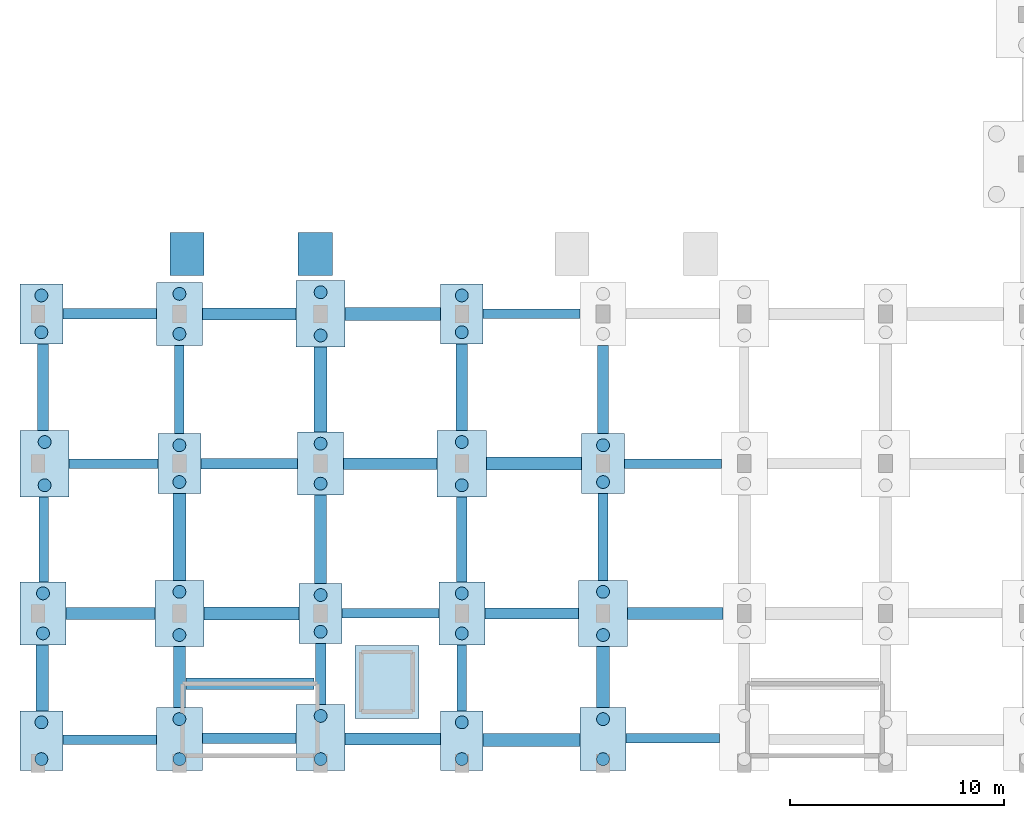
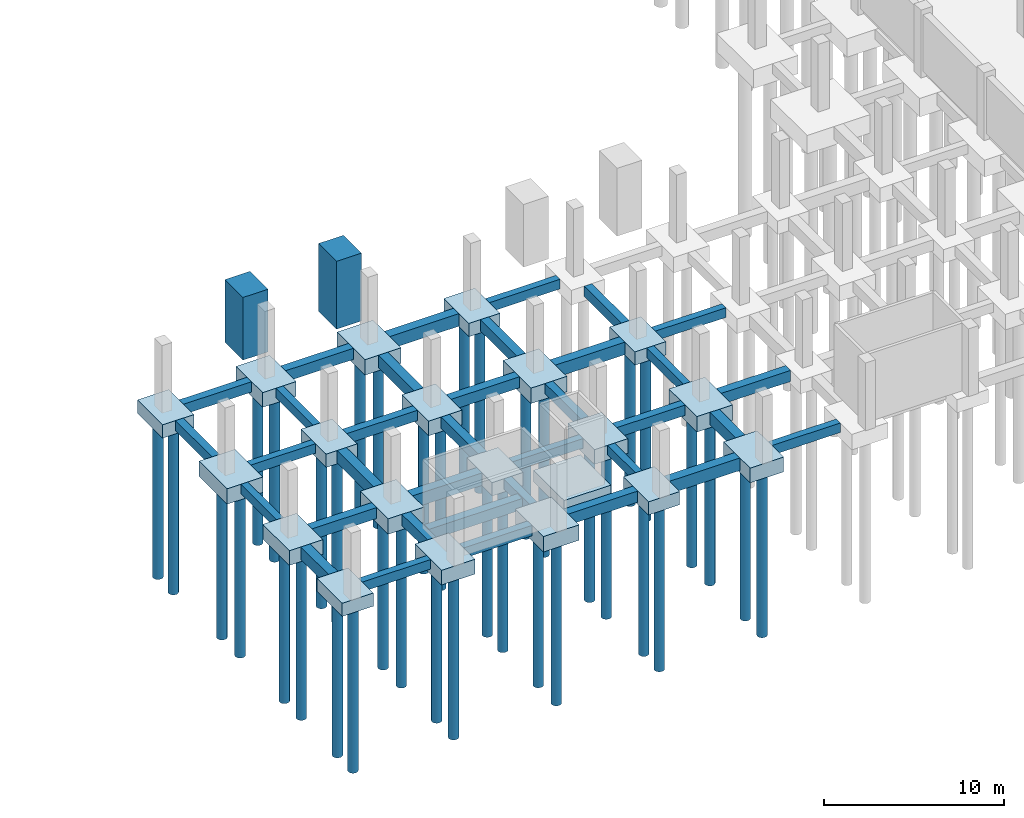
# One storey, part 1 of 27: 57 footings, 38 piles.
"""IFC4 building model written with IfcOpenShell, lengths in metres."""

from ifc_helpers import new_model, si_unit, direction, frame, origin, origin_2d, place, context, subcontext, project, spatial, rectangle, circle, extrude, material, material_profile, profile_set, type_object, element, save


model = new_model("IFC4")

# Units and contexts
model_context = context("Model", 3, precision=1e-05, world=origin(), true_north=direction((0.0, 1.0)))
body_context = subcontext(model_context, "Body", "Model", "MODEL_VIEW")
ifc_project = project(units=[si_unit("LENGTHUNIT", "METRE"), si_unit("AREAUNIT", "SQUARE_METRE"), si_unit("VOLUMEUNIT", "CUBIC_METRE"), si_unit("PLANEANGLEUNIT", "RADIAN"), si_unit("MASSUNIT", "GRAM", prefix="KILO")], contexts=[model_context])

# Site, building, storey
site_placement = place(None, origin())
site = spatial("IfcSite", under=ifc_project, at=site_placement, CompositionType="ELEMENT")
building_placement = place(site_placement, origin())
building = spatial("IfcBuilding", under=site, at=building_placement, Name="Ciguamira Faculty of Natural Sciences", CompositionType="ELEMENT")
storey_placement = place(building_placement, frame((0.0, 0.0, -4.199951171875)))
storey = spatial("IfcBuildingStorey", under=building, at=storey_placement, Name="B1", CompositionType="ELEMENT", Elevation=-4.199951171875)

# Piles
ifc_material = material(Name="Concrete C35/45", Category="concrete")
ifc_material_profile_1 = material_profile(ifc_material, circle(Radius=0.300048828125, at=origin_2d()), Name="PILE-BORED-600")
ifc_profile_set_1 = profile_set([ifc_material_profile_1], Name="Concrete C35/45")
pile_type = type_object("IfcPileType", Name="BoredPile_BP-01_600", PredefinedType="BORED", material=ifc_profile_set_1)
for number, where, z_axis, x_axis, name in (
    (1, (4.64990234375, 3.18994140625, -1.199951171875), (0.0, 0.0, -1.0), (1.0, 0.0, 0.0), "B1 bored pile 000-1"),
    (2, (4.64990234375, 4.909912109375, -1.199951171875), (0.0, 0.0, -1.0), (1.0, 0.0, 0.0), "B1 bored pile 000-2"),
):
    element("IfcPile", number, at=place(storey_placement, frame(where, z_axis=z_axis, x_axis=x_axis)), inside=storey, type_object=pile_type, Name=name, PredefinedType="BORED", context=body_context, shape_type="SweptSolid", body=[
        extrude(circle(Radius=0.300048828125, at=origin_2d()), origin(), (0.0, 0.0, 1.0), 11.199951171875),
    ])
for number, where, z_axis, x_axis, name in (
    (3, (4.72509765625, 9.06494140625, -1.300048828125), (0.0, 0.0, -1.0), (1.0, 0.0, 0.0), "B1 bored pile 001-1"),
    (4, (4.72509765625, 10.93505859375, -1.300048828125), (0.0, 0.0, -1.0), (1.0, 0.0, 0.0), "B1 bored pile 001-2"),
):
    element("IfcPile", number, at=place(storey_placement, frame(where, z_axis=z_axis, x_axis=x_axis)), inside=storey, type_object=pile_type, Name=name, PredefinedType="BORED", context=body_context, shape_type="SweptSolid", body=[
        extrude(circle(Radius=0.300048828125, at=origin_2d()), origin(), (0.0, 0.0, 1.0), 11.10009765625),
    ])
for number, where, z_axis, x_axis, name in (
    (5, (4.800048828125, 15.989990234375, -1.35009765625), (0.0, 0.0, -1.0), (1.0, 0.0, 0.0), "B1 bored pile 002-1"),
    (6, (4.800048828125, 18.010009765625, -1.35009765625), (0.0, 0.0, -1.0), (1.0, 0.0, 0.0), "B1 bored pile 002-2"),
):
    element("IfcPile", number, at=place(storey_placement, frame(where, z_axis=z_axis, x_axis=x_axis)), inside=storey, type_object=pile_type, Name=name, PredefinedType="BORED", context=body_context, shape_type="SweptSolid", body=[
        extrude(circle(Radius=0.300048828125, at=origin_2d()), origin(), (0.0, 0.0, 1.0), 11.050048828125),
    ])
for number, where, z_axis, x_axis, name in (
    (7, (4.64990234375, 23.139892578125, -1.199951171875), (0.0, 0.0, -1.0), (1.0, 0.0, 0.0), "B1 bored pile 003-1"),
    (8, (4.64990234375, 24.860107421875, -1.199951171875), (0.0, 0.0, -1.0), (1.0, 0.0, 0.0), "B1 bored pile 003-2"),
):
    element("IfcPile", number, at=place(storey_placement, frame(where, z_axis=z_axis, x_axis=x_axis)), inside=storey, type_object=pile_type, Name=name, PredefinedType="BORED", context=body_context, shape_type="SweptSolid", body=[
        extrude(circle(Radius=0.300048828125, at=origin_2d()), origin(), (0.0, 0.0, 1.0), 11.199951171875),
    ])
for number, where, z_axis, x_axis, name in (
    (9, (11.10009765625, 3.18994140625, -1.300048828125), (0.0, 0.0, -1.0), (1.0, 0.0, 0.0), "B1 bored pile 004-1"),
    (10, (11.10009765625, 5.06005859375, -1.300048828125), (0.0, 0.0, -1.0), (1.0, 0.0, 0.0), "B1 bored pile 004-2"),
):
    element("IfcPile", number, at=place(storey_placement, frame(where, z_axis=z_axis, x_axis=x_axis)), inside=storey, type_object=pile_type, Name=name, PredefinedType="BORED", context=body_context, shape_type="SweptSolid", body=[
        extrude(circle(Radius=0.300048828125, at=origin_2d()), origin(), (0.0, 0.0, 1.0), 11.10009765625),
    ])
for number, where, z_axis, x_axis, name in (
    (11, (11.10009765625, 8.989990234375, -1.35009765625), (0.0, 0.0, -1.0), (1.0, 0.0, 0.0), "B1 bored pile 005-1"),
    (12, (11.10009765625, 11.010009765625, -1.35009765625), (0.0, 0.0, -1.0), (1.0, 0.0, 0.0), "B1 bored pile 005-2"),
):
    element("IfcPile", number, at=place(storey_placement, frame(where, z_axis=z_axis, x_axis=x_axis)), inside=storey, type_object=pile_type, Name=name, PredefinedType="BORED", context=body_context, shape_type="SweptSolid", body=[
        extrude(circle(Radius=0.300048828125, at=origin_2d()), origin(), (0.0, 0.0, 1.0), 11.050048828125),
    ])
for number, where, z_axis, x_axis, name in (
    (13, (11.10009765625, 16.139892578125, -1.199951171875), (0.0, 0.0, -1.0), (1.0, 0.0, 0.0), "B1 bored pile 006-1"),
    (14, (11.10009765625, 17.860107421875, -1.199951171875), (0.0, 0.0, -1.0), (1.0, 0.0, 0.0), "B1 bored pile 006-2"),
):
    element("IfcPile", number, at=place(storey_placement, frame(where, z_axis=z_axis, x_axis=x_axis)), inside=storey, type_object=pile_type, Name=name, PredefinedType="BORED", context=body_context, shape_type="SweptSolid", body=[
        extrude(circle(Radius=0.300048828125, at=origin_2d()), origin(), (0.0, 0.0, 1.0), 11.199951171875),
    ])
for number, where, z_axis, x_axis, name in (
    (15, (11.10009765625, 23.06494140625, -1.300048828125), (0.0, 0.0, -1.0), (1.0, 0.0, 0.0), "B1 bored pile 007-1"),
    (16, (11.10009765625, 24.93505859375, -1.300048828125), (0.0, 0.0, -1.0), (1.0, 0.0, 0.0), "B1 bored pile 007-2"),
):
    element("IfcPile", number, at=place(storey_placement, frame(where, z_axis=z_axis, x_axis=x_axis)), inside=storey, type_object=pile_type, Name=name, PredefinedType="BORED", context=body_context, shape_type="SweptSolid", body=[
        extrude(circle(Radius=0.300048828125, at=origin_2d()), origin(), (0.0, 0.0, 1.0), 11.10009765625),
    ])
for number, where, z_axis, x_axis, name in (
    (17, (17.699951171875, 3.18994140625, -1.35009765625), (0.0, 0.0, -1.0), (1.0, 0.0, 0.0), "B1 bored pile 008-1"),
    (18, (17.699951171875, 5.2099609375, -1.35009765625), (0.0, 0.0, -1.0), (1.0, 0.0, 0.0), "B1 bored pile 008-2"),
):
    element("IfcPile", number, at=place(storey_placement, frame(where, z_axis=z_axis, x_axis=x_axis)), inside=storey, type_object=pile_type, Name=name, PredefinedType="BORED", context=body_context, shape_type="SweptSolid", body=[
        extrude(circle(Radius=0.300048828125, at=origin_2d()), origin(), (0.0, 0.0, 1.0), 11.050048828125),
    ])
for number, where, z_axis, x_axis, name in (
    (19, (17.699951171875, 9.139892578125, -1.199951171875), (0.0, 0.0, -1.0), (1.0, 0.0, 0.0), "B1 bored pile 009-1"),
    (20, (17.699951171875, 10.860107421875, -1.199951171875), (0.0, 0.0, -1.0), (1.0, 0.0, 0.0), "B1 bored pile 009-2"),
):
    element("IfcPile", number, at=place(storey_placement, frame(where, z_axis=z_axis, x_axis=x_axis)), inside=storey, type_object=pile_type, Name=name, PredefinedType="BORED", context=body_context, shape_type="SweptSolid", body=[
        extrude(circle(Radius=0.300048828125, at=origin_2d()), origin(), (0.0, 0.0, 1.0), 11.199951171875),
    ])
for number, where, z_axis, x_axis, name in (
    (21, (17.699951171875, 16.06494140625, -1.300048828125), (0.0, 0.0, -1.0), (1.0, 0.0, 0.0), "B1 bored pile 010-1"),
    (22, (17.699951171875, 17.93505859375, -1.300048828125), (0.0, 0.0, -1.0), (1.0, 0.0, 0.0), "B1 bored pile 010-2"),
):
    element("IfcPile", number, at=place(storey_placement, frame(where, z_axis=z_axis, x_axis=x_axis)), inside=storey, type_object=pile_type, Name=name, PredefinedType="BORED", context=body_context, shape_type="SweptSolid", body=[
        extrude(circle(Radius=0.300048828125, at=origin_2d()), origin(), (0.0, 0.0, 1.0), 11.10009765625),
    ])
for number, where, z_axis, x_axis, name in (
    (23, (17.699951171875, 22.989990234375, -1.35009765625), (0.0, 0.0, -1.0), (1.0, 0.0, 0.0), "B1 bored pile 011-1"),
    (24, (17.699951171875, 25.010009765625, -1.35009765625), (0.0, 0.0, -1.0), (1.0, 0.0, 0.0), "B1 bored pile 011-2"),
):
    element("IfcPile", number, at=place(storey_placement, frame(where, z_axis=z_axis, x_axis=x_axis)), inside=storey, type_object=pile_type, Name=name, PredefinedType="BORED", context=body_context, shape_type="SweptSolid", body=[
        extrude(circle(Radius=0.300048828125, at=origin_2d()), origin(), (0.0, 0.0, 1.0), 11.050048828125),
    ])
for number, where, z_axis, x_axis, name in (
    (25, (24.300048828125, 3.18994140625, -1.199951171875), (0.0, 0.0, -1.0), (1.0, 0.0, 0.0), "B1 bored pile 012-1"),
    (26, (24.300048828125, 4.909912109375, -1.199951171875), (0.0, 0.0, -1.0), (1.0, 0.0, 0.0), "B1 bored pile 012-2"),
):
    element("IfcPile", number, at=place(storey_placement, frame(where, z_axis=z_axis, x_axis=x_axis)), inside=storey, type_object=pile_type, Name=name, PredefinedType="BORED", context=body_context, shape_type="SweptSolid", body=[
        extrude(circle(Radius=0.300048828125, at=origin_2d()), origin(), (0.0, 0.0, 1.0), 11.199951171875),
    ])
for number, where, z_axis, x_axis, name in (
    (27, (24.300048828125, 9.06494140625, -1.300048828125), (0.0, 0.0, -1.0), (1.0, 0.0, 0.0), "B1 bored pile 013-1"),
    (28, (24.300048828125, 10.93505859375, -1.300048828125), (0.0, 0.0, -1.0), (1.0, 0.0, 0.0), "B1 bored pile 013-2"),
):
    element("IfcPile", number, at=place(storey_placement, frame(where, z_axis=z_axis, x_axis=x_axis)), inside=storey, type_object=pile_type, Name=name, PredefinedType="BORED", context=body_context, shape_type="SweptSolid", body=[
        extrude(circle(Radius=0.300048828125, at=origin_2d()), origin(), (0.0, 0.0, 1.0), 11.10009765625),
    ])
for number, where, z_axis, x_axis, name in (
    (29, (24.300048828125, 15.989990234375, -1.35009765625), (0.0, 0.0, -1.0), (1.0, 0.0, 0.0), "B1 bored pile 014-1"),
    (30, (24.300048828125, 18.010009765625, -1.35009765625), (0.0, 0.0, -1.0), (1.0, 0.0, 0.0), "B1 bored pile 014-2"),
):
    element("IfcPile", number, at=place(storey_placement, frame(where, z_axis=z_axis, x_axis=x_axis)), inside=storey, type_object=pile_type, Name=name, PredefinedType="BORED", context=body_context, shape_type="SweptSolid", body=[
        extrude(circle(Radius=0.300048828125, at=origin_2d()), origin(), (0.0, 0.0, 1.0), 11.050048828125),
    ])
for number, where, z_axis, x_axis, name in (
    (31, (24.300048828125, 23.139892578125, -1.199951171875), (0.0, 0.0, -1.0), (1.0, 0.0, 0.0), "B1 bored pile 015-1"),
    (32, (24.300048828125, 24.860107421875, -1.199951171875), (0.0, 0.0, -1.0), (1.0, 0.0, 0.0), "B1 bored pile 015-2"),
):
    element("IfcPile", number, at=place(storey_placement, frame(where, z_axis=z_axis, x_axis=x_axis)), inside=storey, type_object=pile_type, Name=name, PredefinedType="BORED", context=body_context, shape_type="SweptSolid", body=[
        extrude(circle(Radius=0.300048828125, at=origin_2d()), origin(), (0.0, 0.0, 1.0), 11.199951171875),
    ])
for number, where, z_axis, x_axis, name in (
    (33, (30.89990234375, 3.18994140625, -1.300048828125), (0.0, 0.0, -1.0), (1.0, 0.0, 0.0), "B1 bored pile 016-1"),
    (34, (30.89990234375, 5.06005859375, -1.300048828125), (0.0, 0.0, -1.0), (1.0, 0.0, 0.0), "B1 bored pile 016-2"),
):
    element("IfcPile", number, at=place(storey_placement, frame(where, z_axis=z_axis, x_axis=x_axis)), inside=storey, type_object=pile_type, Name=name, PredefinedType="BORED", context=body_context, shape_type="SweptSolid", body=[
        extrude(circle(Radius=0.300048828125, at=origin_2d()), origin(), (0.0, 0.0, 1.0), 11.10009765625),
    ])
for number, where, z_axis, x_axis, name in (
    (35, (30.89990234375, 8.989990234375, -1.35009765625), (0.0, 0.0, -1.0), (1.0, 0.0, 0.0), "B1 bored pile 017-1"),
    (36, (30.89990234375, 11.010009765625, -1.35009765625), (0.0, 0.0, -1.0), (1.0, 0.0, 0.0), "B1 bored pile 017-2"),
):
    element("IfcPile", number, at=place(storey_placement, frame(where, z_axis=z_axis, x_axis=x_axis)), inside=storey, type_object=pile_type, Name=name, PredefinedType="BORED", context=body_context, shape_type="SweptSolid", body=[
        extrude(circle(Radius=0.300048828125, at=origin_2d()), origin(), (0.0, 0.0, 1.0), 11.050048828125),
    ])
for number, where, z_axis, x_axis, name in (
    (37, (30.89990234375, 16.139892578125, -1.199951171875), (0.0, 0.0, -1.0), (1.0, 0.0, 0.0), "B1 bored pile 018-1"),
    (38, (30.89990234375, 17.860107421875, -1.199951171875), (0.0, 0.0, -1.0), (1.0, 0.0, 0.0), "B1 bored pile 018-2"),
):
    element("IfcPile", number, at=place(storey_placement, frame(where, z_axis=z_axis, x_axis=x_axis)), inside=storey, type_object=pile_type, Name=name, PredefinedType="BORED", context=body_context, shape_type="SweptSolid", body=[
        extrude(circle(Radius=0.300048828125, at=origin_2d()), origin(), (0.0, 0.0, 1.0), 11.199951171875),
    ])

# Footings
ifc_material_profile_2 = material_profile(ifc_material, rectangle(XDim=0.449951171875, YDim=0.64990234375, at=origin_2d()), Name="RC-FB-450X650")
ifc_profile_set_2 = profile_set([ifc_material_profile_2], Name="Concrete C35/45")
footing_type_1 = type_object("IfcFootingType", Name="FootingBeam_FB-01_450x650", PredefinedType="FOOTING_BEAM", material=ifc_profile_set_2)
for number, where, z_axis, x_axis, name in (
    (39, (5.64990234375, 4.08740234375, -0.72509765625), (1.0, 0.0, 0.0), (0.0, 1.0, 0.0), "B1 ground tie beam 0001"),
    (40, (31.97509765625, 4.16259765625, -0.72509765625), (1.0, 0.0, 0.0), (0.0, 1.0, 0.0), "B1 ground tie beam 0005"),
):
    element("IfcFooting", number, at=place(storey_placement, frame(where, z_axis=z_axis, x_axis=x_axis)), inside=storey, type_object=footing_type_1, Name=name, PredefinedType="FOOTING_BEAM", context=body_context, shape_type="SweptSolid", body=[
        extrude(rectangle(XDim=0.449951171875, YDim=0.64990234375, at=origin_2d()), origin(), (0.0, 0.0, 1.0), 4.375),
    ])
footing_1_placement = place(storey_placement, frame((18.699951171875, 10.0, -0.72509765625), z_axis=(1.0, 0.0, 0.0), x_axis=(0.0, 1.0, 0.0)))
element("IfcFooting", 41, at=footing_1_placement, inside=storey, type_object=footing_type_1, Name="B1 ground tie beam 0017", PredefinedType="FOOTING_BEAM", context=body_context, shape_type="SweptSolid", body=[
    extrude(rectangle(XDim=0.449951171875, YDim=0.64990234375, at=origin_2d()), origin(), (0.0, 0.0, 1.0), 4.525146484375),
])
footing_2_placement = place(storey_placement, frame((5.949951171875, 17.0, -0.72509765625), z_axis=(1.0, 0.0, 0.0), x_axis=(0.0, 1.0, 0.0)))
element("IfcFooting", 42, at=footing_2_placement, inside=storey, type_object=footing_type_1, Name="B1 ground tie beam 0033", PredefinedType="FOOTING_BEAM", context=body_context, shape_type="SweptSolid", body=[
    extrude(rectangle(XDim=0.449951171875, YDim=0.64990234375, at=origin_2d()), origin(), (0.0, 0.0, 1.0), 4.150146484375),
])
footing_3_placement = place(storey_placement, frame((31.89990234375, 17.0, -0.72509765625), z_axis=(1.0, 0.0, 0.0), x_axis=(0.0, 1.0, 0.0)))
element("IfcFooting", 43, at=footing_3_placement, inside=storey, type_object=footing_type_1, Name="B1 ground tie beam 0037", PredefinedType="FOOTING_BEAM", context=body_context, shape_type="SweptSolid", body=[
    extrude(rectangle(XDim=0.449951171875, YDim=0.64990234375, at=origin_2d()), origin(), (0.0, 0.0, 1.0), 4.525146484375),
])
footing_4_placement = place(storey_placement, frame((25.300048828125, 24.0, -0.72509765625), z_axis=(1.0, 0.0, 0.0), x_axis=(0.0, 1.0, 0.0)))
element("IfcFooting", 44, at=footing_4_placement, inside=storey, type_object=footing_type_1, Name="B1 ground tie beam 0061", PredefinedType="FOOTING_BEAM", context=body_context, shape_type="SweptSolid", body=[
    extrude(rectangle(XDim=0.449951171875, YDim=0.64990234375, at=origin_2d()), origin(), (0.0, 0.0, 1.0), 4.52490234375),
])
footing_5_placement = place(storey_placement, frame((4.762451171875, 11.47509765625, -0.72509765625), z_axis=(0.0, 1.0, 0.0), x_axis=(-1.0, 0.0, 0.0)))
element("IfcFooting", 45, at=footing_5_placement, inside=storey, type_object=footing_type_1, Name="B1 ground tie beam 0193", PredefinedType="FOOTING_BEAM", context=body_context, shape_type="SweptSolid", body=[
    extrude(rectangle(XDim=0.449951171875, YDim=0.64990234375, at=origin_2d()), origin(), (0.0, 0.0, 1.0), 3.974853515625),
])
footing_6_placement = place(storey_placement, frame((11.10009765625, 18.39990234375, -0.72509765625), z_axis=(0.0, 1.0, 0.0), x_axis=(-1.0, 0.0, 0.0)))
element("IfcFooting", 46, at=footing_6_placement, inside=storey, type_object=footing_type_1, Name="B1 ground tie beam 0197", PredefinedType="FOOTING_BEAM", context=body_context, shape_type="SweptSolid", body=[
    extrude(rectangle(XDim=0.449951171875, YDim=0.64990234375, at=origin_2d()), origin(), (0.0, 0.0, 1.0), 4.125),
])
footing_7_placement = place(storey_placement, frame((24.300048828125, 5.449951171875, -0.72509765625), z_axis=(0.0, 1.0, 0.0), x_axis=(-1.0, 0.0, 0.0)))
element("IfcFooting", 47, at=footing_7_placement, inside=storey, type_object=footing_type_1, Name="B1 ground tie beam 0201", PredefinedType="FOOTING_BEAM", context=body_context, shape_type="SweptSolid", body=[
    extrude(rectangle(XDim=0.449951171875, YDim=0.64990234375, at=origin_2d()), origin(), (0.0, 0.0, 1.0), 3.074951171875),
])
footing_8_placement = place(storey_placement, frame((30.89990234375, 11.550048828125, -0.72509765625), z_axis=(0.0, 1.0, 0.0), x_axis=(-1.0, 0.0, 0.0)))
element("IfcFooting", 48, at=footing_8_placement, inside=storey, type_object=footing_type_1, Name="B1 ground tie beam 0205", PredefinedType="FOOTING_BEAM", context=body_context, shape_type="SweptSolid", body=[
    extrude(rectangle(XDim=0.449951171875, YDim=0.64990234375, at=origin_2d()), origin(), (0.0, 0.0, 1.0), 4.050048828125),
])
ifc_material_profile_3 = material_profile(ifc_material, rectangle(XDim=0.5, YDim=0.699951171875, at=origin_2d()), Name="RC-FB-500X700")
ifc_profile_set_3 = profile_set([ifc_material_profile_3], Name="Concrete C35/45")
footing_type_2 = type_object("IfcFootingType", Name="FootingBeam_FB-02_500x700", PredefinedType="FOOTING_BEAM", material=ifc_profile_set_3)
for number, where, z_axis, x_axis, name in (
    (49, (12.175048828125, 4.16259765625, -0.75), (1.0, 0.0, 0.0), (0.0, 1.0, 0.0), "B1 ground tie beam 0002"),
    (50, (25.375, 10.0, -0.75), (1.0, 0.0, 0.0), (0.0, 1.0, 0.0), "B1 ground tie beam 0018"),
):
    element("IfcFooting", number, at=place(storey_placement, frame(where, z_axis=z_axis, x_axis=x_axis)), inside=storey, type_object=footing_type_2, Name=name, PredefinedType="FOOTING_BEAM", context=body_context, shape_type="SweptSolid", body=[
        extrude(rectangle(XDim=0.5, YDim=0.699951171875, at=origin_2d()), origin(), (0.0, 0.0, 1.0), 4.375),
    ])
footing_9_placement = place(storey_placement, frame((12.10009765625, 17.0, -0.75), z_axis=(1.0, 0.0, 0.0), x_axis=(0.0, 1.0, 0.0)))
element("IfcFooting", 51, at=footing_9_placement, inside=storey, type_object=footing_type_2, Name="B1 ground tie beam 0034", PredefinedType="FOOTING_BEAM", context=body_context, shape_type="SweptSolid", body=[
    extrude(rectangle(XDim=0.5, YDim=0.699951171875, at=origin_2d()), origin(), (0.0, 0.0, 1.0), 4.52490234375),
])
footing_10_placement = place(storey_placement, frame((5.64990234375, 24.0, -0.75), z_axis=(1.0, 0.0, 0.0), x_axis=(0.0, 1.0, 0.0)))
element("IfcFooting", 52, at=footing_10_placement, inside=storey, type_object=footing_type_2, Name="B1 ground tie beam 0058", PredefinedType="FOOTING_BEAM", context=body_context, shape_type="SweptSolid", body=[
    extrude(rectangle(XDim=0.5, YDim=0.699951171875, at=origin_2d()), origin(), (0.0, 0.0, 1.0), 4.375),
])
footing_11_placement = place(storey_placement, frame((4.72509765625, 18.550048828125, -0.75), z_axis=(0.0, 1.0, 0.0), x_axis=(-1.0, 0.0, 0.0)))
element("IfcFooting", 53, at=footing_11_placement, inside=storey, type_object=footing_type_2, Name="B1 ground tie beam 0194", PredefinedType="FOOTING_BEAM", context=body_context, shape_type="SweptSolid", body=[
    extrude(rectangle(XDim=0.5, YDim=0.699951171875, at=origin_2d()), origin(), (0.0, 0.0, 1.0), 4.050048828125),
])
footing_12_placement = place(storey_placement, frame((17.699951171875, 5.75, -0.75), z_axis=(0.0, 1.0, 0.0), x_axis=(-1.0, 0.0, 0.0)))
element("IfcFooting", 54, at=footing_12_placement, inside=storey, type_object=footing_type_2, Name="B1 ground tie beam 0198", PredefinedType="FOOTING_BEAM", context=body_context, shape_type="SweptSolid", body=[
    extrude(rectangle(XDim=0.5, YDim=0.699951171875, at=origin_2d()), origin(), (0.0, 0.0, 1.0), 2.85009765625),
])
footing_13_placement = place(storey_placement, frame((24.300048828125, 11.47509765625, -0.75), z_axis=(0.0, 1.0, 0.0), x_axis=(-1.0, 0.0, 0.0)))
element("IfcFooting", 55, at=footing_13_placement, inside=storey, type_object=footing_type_2, Name="B1 ground tie beam 0202", PredefinedType="FOOTING_BEAM", context=body_context, shape_type="SweptSolid", body=[
    extrude(rectangle(XDim=0.5, YDim=0.699951171875, at=origin_2d()), origin(), (0.0, 0.0, 1.0), 3.974853515625),
])
footing_14_placement = place(storey_placement, frame((30.89990234375, 18.39990234375, -0.75), z_axis=(0.0, 1.0, 0.0), x_axis=(-1.0, 0.0, 0.0)))
element("IfcFooting", 56, at=footing_14_placement, inside=storey, type_object=footing_type_2, Name="B1 ground tie beam 0206", PredefinedType="FOOTING_BEAM", context=body_context, shape_type="SweptSolid", body=[
    extrude(rectangle(XDim=0.5, YDim=0.699951171875, at=origin_2d()), origin(), (0.0, 0.0, 1.0), 4.125),
])
ifc_material_profile_4 = material_profile(ifc_material, rectangle(XDim=0.550048828125, YDim=0.75, at=origin_2d()), Name="RC-FB-550X750")
ifc_profile_set_4 = profile_set([ifc_material_profile_4], Name="Concrete C35/45")
footing_type_3 = type_object("IfcFootingType", Name="FootingBeam_FB-03_550x750", PredefinedType="FOOTING_BEAM", material=ifc_profile_set_4)
footing_15_placement = place(storey_placement, frame((18.85009765625, 4.125, -0.775146484375), z_axis=(1.0, 0.0, 0.0), x_axis=(0.0, 1.0, 0.0)))
element("IfcFooting", 57, at=footing_15_placement, inside=storey, type_object=footing_type_3, Name="B1 ground tie beam 0003", PredefinedType="FOOTING_BEAM", context=body_context, shape_type="SweptSolid", body=[
    extrude(rectangle(XDim=0.550048828125, YDim=0.75, at=origin_2d()), origin(), (0.0, 0.0, 1.0), 4.449951171875),
])
footing_16_placement = place(storey_placement, frame((5.800048828125, 10.0, -0.775146484375), z_axis=(1.0, 0.0, 0.0), x_axis=(0.0, 1.0, 0.0)))
element("IfcFooting", 58, at=footing_16_placement, inside=storey, type_object=footing_type_3, Name="B1 ground tie beam 0015", PredefinedType="FOOTING_BEAM", context=body_context, shape_type="SweptSolid", body=[
    extrude(rectangle(XDim=0.550048828125, YDim=0.75, at=origin_2d()), origin(), (0.0, 0.0, 1.0), 4.14990234375),
])
footing_17_placement = place(storey_placement, frame((32.050048828125, 10.0, -0.775146484375), z_axis=(1.0, 0.0, 0.0), x_axis=(0.0, 1.0, 0.0)))
element("IfcFooting", 59, at=footing_17_placement, inside=storey, type_object=footing_type_3, Name="B1 ground tie beam 0019", PredefinedType="FOOTING_BEAM", context=body_context, shape_type="SweptSolid", body=[
    extrude(rectangle(XDim=0.550048828125, YDim=0.75, at=origin_2d()), origin(), (0.0, 0.0, 1.0), 4.449951171875),
])
for number, where, z_axis, x_axis, name in (
    (60, (18.77490234375, 17.0, -0.775146484375), (1.0, 0.0, 0.0), (0.0, 1.0, 0.0), "B1 ground tie beam 0035"),
    (61, (12.175048828125, 24.0, -0.775146484375), (1.0, 0.0, 0.0), (0.0, 1.0, 0.0), "B1 ground tie beam 0059"),
):
    element("IfcFooting", number, at=place(storey_placement, frame(where, z_axis=z_axis, x_axis=x_axis)), inside=storey, type_object=footing_type_3, Name=name, PredefinedType="FOOTING_BEAM", context=body_context, shape_type="SweptSolid", body=[
        extrude(rectangle(XDim=0.550048828125, YDim=0.75, at=origin_2d()), origin(), (0.0, 0.0, 1.0), 4.375),
    ])
footing_18_placement = place(storey_placement, frame((11.10009765625, 5.60009765625, -0.775146484375), z_axis=(0.0, 1.0, 0.0), x_axis=(-1.0, 0.0, 0.0)))
element("IfcFooting", 62, at=footing_18_placement, inside=storey, type_object=footing_type_3, Name="B1 ground tie beam 0195", PredefinedType="FOOTING_BEAM", context=body_context, shape_type="SweptSolid", body=[
    extrude(rectangle(XDim=0.550048828125, YDim=0.75, at=origin_2d()), origin(), (0.0, 0.0, 1.0), 2.849853515625),
])
footing_19_placement = place(storey_placement, frame((17.699951171875, 11.39990234375, -0.775146484375), z_axis=(0.0, 1.0, 0.0), x_axis=(-1.0, 0.0, 0.0)))
element("IfcFooting", 63, at=footing_19_placement, inside=storey, type_object=footing_type_3, Name="B1 ground tie beam 0199", PredefinedType="FOOTING_BEAM", context=body_context, shape_type="SweptSolid", body=[
    extrude(rectangle(XDim=0.550048828125, YDim=0.75, at=origin_2d()), origin(), (0.0, 0.0, 1.0), 4.125),
])
footing_20_placement = place(storey_placement, frame((24.300048828125, 18.550048828125, -0.775146484375), z_axis=(0.0, 1.0, 0.0), x_axis=(-1.0, 0.0, 0.0)))
element("IfcFooting", 64, at=footing_20_placement, inside=storey, type_object=footing_type_3, Name="B1 ground tie beam 0203", PredefinedType="FOOTING_BEAM", context=body_context, shape_type="SweptSolid", body=[
    extrude(rectangle(XDim=0.550048828125, YDim=0.75, at=origin_2d()), origin(), (0.0, 0.0, 1.0), 4.050048828125),
])
footing_21_placement = place(storey_placement, frame((11.409912109375, 6.7099609375, -0.775146484375), z_axis=(1.0, 0.0, 0.0), x_axis=(0.0, 1.0, 0.0)))
element("IfcFooting", 65, at=footing_21_placement, inside=storey, type_object=footing_type_3, Name="B1 ST-C1 core transverse footing beam north", PredefinedType="FOOTING_BEAM", context=body_context, shape_type="SweptSolid", body=[
    extrude(rectangle(XDim=0.550048828125, YDim=0.75, at=origin_2d()), origin(), (0.0, 0.0, 1.0), 5.97998046875),
])
ifc_material_profile_5 = material_profile(ifc_material, rectangle(XDim=0.60009765625, YDim=0.85009765625, at=origin_2d()), Name="RC-FB-600X850")
ifc_profile_set_5 = profile_set([ifc_material_profile_5], Name="Concrete C35/45")
footing_type_4 = type_object("IfcFootingType", Name="FootingBeam_FB-04_600x850", PredefinedType="FOOTING_BEAM", material=ifc_profile_set_5)
footing_22_placement = place(storey_placement, frame((25.300048828125, 4.08740234375, -0.824951171875), z_axis=(1.0, 0.0, 0.0), x_axis=(0.0, 1.0, 0.0)))
element("IfcFooting", 66, at=footing_22_placement, inside=storey, type_object=footing_type_4, Name="B1 ground tie beam 0004", PredefinedType="FOOTING_BEAM", context=body_context, shape_type="SweptSolid", body=[
    extrude(rectangle(XDim=0.60009765625, YDim=0.85009765625, at=origin_2d()), origin(), (0.0, 0.0, 1.0), 4.52490234375),
])
for number, where, z_axis, x_axis, name in (
    (67, (12.25, 10.0, -0.824951171875), (1.0, 0.0, 0.0), (0.0, 1.0, 0.0), "B1 ground tie beam 0016"),
    (68, (25.449951171875, 17.0, -0.824951171875), (1.0, 0.0, 0.0), (0.0, 1.0, 0.0), "B1 ground tie beam 0036"),
    (69, (18.85009765625, 24.0, -0.824951171875), (1.0, 0.0, 0.0), (0.0, 1.0, 0.0), "B1 ground tie beam 0060"),
):
    element("IfcFooting", number, at=place(storey_placement, frame(where, z_axis=z_axis, x_axis=x_axis)), inside=storey, type_object=footing_type_4, Name=name, PredefinedType="FOOTING_BEAM", context=body_context, shape_type="SweptSolid", body=[
        extrude(rectangle(XDim=0.60009765625, YDim=0.85009765625, at=origin_2d()), origin(), (0.0, 0.0, 1.0), 4.449951171875),
    ])
footing_23_placement = place(storey_placement, frame((4.6875, 5.449951171875, -0.824951171875), z_axis=(0.0, 1.0, 0.0), x_axis=(-1.0, 0.0, 0.0)))
element("IfcFooting", 70, at=footing_23_placement, inside=storey, type_object=footing_type_4, Name="B1 ground tie beam 0192", PredefinedType="FOOTING_BEAM", context=body_context, shape_type="SweptSolid", body=[
    extrude(rectangle(XDim=0.60009765625, YDim=0.85009765625, at=origin_2d()), origin(), (0.0, 0.0, 1.0), 3.074951171875),
])
footing_24_placement = place(storey_placement, frame((11.10009765625, 11.550048828125, -0.824951171875), z_axis=(0.0, 1.0, 0.0), x_axis=(-1.0, 0.0, 0.0)))
element("IfcFooting", 71, at=footing_24_placement, inside=storey, type_object=footing_type_4, Name="B1 ground tie beam 0196", PredefinedType="FOOTING_BEAM", context=body_context, shape_type="SweptSolid", body=[
    extrude(rectangle(XDim=0.60009765625, YDim=0.85009765625, at=origin_2d()), origin(), (0.0, 0.0, 1.0), 4.050048828125),
])
footing_25_placement = place(storey_placement, frame((17.699951171875, 18.47509765625, -0.824951171875), z_axis=(0.0, 1.0, 0.0), x_axis=(-1.0, 0.0, 0.0)))
element("IfcFooting", 72, at=footing_25_placement, inside=storey, type_object=footing_type_4, Name="B1 ground tie beam 0200", PredefinedType="FOOTING_BEAM", context=body_context, shape_type="SweptSolid", body=[
    extrude(rectangle(XDim=0.60009765625, YDim=0.85009765625, at=origin_2d()), origin(), (0.0, 0.0, 1.0), 3.974853515625),
])
footing_26_placement = place(storey_placement, frame((30.89990234375, 5.60009765625, -0.824951171875), z_axis=(0.0, 1.0, 0.0), x_axis=(-1.0, 0.0, 0.0)))
element("IfcFooting", 73, at=footing_26_placement, inside=storey, type_object=footing_type_4, Name="B1 ground tie beam 0204", PredefinedType="FOOTING_BEAM", context=body_context, shape_type="SweptSolid", body=[
    extrude(rectangle(XDim=0.60009765625, YDim=0.85009765625, at=origin_2d()), origin(), (0.0, 0.0, 1.0), 2.849853515625),
])
footing_type_5 = type_object("IfcFootingType", Name="PadFooting_RFP-ELP2_3000x3400x800", PredefinedType="PAD_FOOTING", material=ifc_material)
footing_27_placement = place(storey_placement, frame((20.800048828125, 6.800048828125, -1.2001953125), z_axis=(0.0, 0.0, 1.0), x_axis=(1.0, 0.0, 0.0)))
element("IfcFooting", 74, at=footing_27_placement, inside=storey, type_object=footing_type_5, Name="B1 EL-P2 hoistway pad footing", PredefinedType="PAD_FOOTING", context=body_context, shape_type="SweptSolid", body=[
    extrude(rectangle(XDim=3.0, YDim=3.39990234375, at=origin_2d()), origin(), (0.0, 0.0, 1.0), 0.800048828125),
])
footing_type_6 = type_object("IfcFootingType", Name="PileCap_PC-01_200x280x90", PredefinedType="PILE_CAP", material=ifc_material)
for number, where, z_axis, x_axis, name in (
    (75, (4.64990234375, 4.050048828125, -1.300048828125), (0.0, 0.0, 1.0), (1.0, 0.0, 0.0), "B1 pile cap PC-01 at (4.5, 3.0)"),
    (76, (4.64990234375, 24.0, -1.300048828125), (0.0, 0.0, 1.0), (1.0, 0.0, 0.0), "B1 pile cap PC-01 at (4.5, 24.0)"),
    (77, (11.10009765625, 17.0, -1.300048828125), (0.0, 0.0, 1.0), (1.0, 0.0, 0.0), "B1 pile cap PC-01 at (11.1, 17.0)"),
    (78, (17.699951171875, 10.0, -1.300048828125), (0.0, 0.0, 1.0), (1.0, 0.0, 0.0), "B1 pile cap PC-01 at (17.7, 10.0)"),
    (79, (24.300048828125, 4.050048828125, -1.300048828125), (0.0, 0.0, 1.0), (1.0, 0.0, 0.0), "B1 pile cap PC-01 at (24.3, 3.0)"),
    (80, (24.300048828125, 24.0, -1.300048828125), (0.0, 0.0, 1.0), (1.0, 0.0, 0.0), "B1 pile cap PC-01 at (24.3, 24.0)"),
    (81, (30.89990234375, 17.0, -1.300048828125), (0.0, 0.0, 1.0), (1.0, 0.0, 0.0), "B1 pile cap PC-01 at (30.9, 17.0)"),
):
    element("IfcFooting", number, at=place(storey_placement, frame(where, z_axis=z_axis, x_axis=x_axis)), inside=storey, type_object=footing_type_6, Name=name, PredefinedType="PILE_CAP", context=body_context, shape_type="SweptSolid", body=[
        extrude(rectangle(XDim=2.0, YDim=2.800048828125, at=origin_2d()), origin(), (0.0, 0.0, 1.0), 0.89990234375),
    ])
footing_type_7 = type_object("IfcFootingType", Name="PileCap_PC-02_215x295x100", PredefinedType="PILE_CAP", material=ifc_material)
for number, where, z_axis, x_axis, name in (
    (82, (4.72509765625, 10.0, -1.400146484375), (0.0, 0.0, 1.0), (1.0, 0.0, 0.0), "B1 pile cap PC-02 at (4.5, 10.0)"),
    (83, (11.10009765625, 4.125, -1.400146484375), (0.0, 0.0, 1.0), (1.0, 0.0, 0.0), "B1 pile cap PC-02 at (11.1, 3.0)"),
    (84, (11.10009765625, 24.0, -1.400146484375), (0.0, 0.0, 1.0), (1.0, 0.0, 0.0), "B1 pile cap PC-02 at (11.1, 24.0)"),
    (85, (17.699951171875, 17.0, -1.400146484375), (0.0, 0.0, 1.0), (1.0, 0.0, 0.0), "B1 pile cap PC-02 at (17.7, 17.0)"),
    (86, (24.300048828125, 10.0, -1.400146484375), (0.0, 0.0, 1.0), (1.0, 0.0, 0.0), "B1 pile cap PC-02 at (24.3, 10.0)"),
    (87, (30.89990234375, 4.125, -1.400146484375), (0.0, 0.0, 1.0), (1.0, 0.0, 0.0), "B1 pile cap PC-02 at (30.9, 3.0)"),
):
    element("IfcFooting", number, at=place(storey_placement, frame(where, z_axis=z_axis, x_axis=x_axis)), inside=storey, type_object=footing_type_7, Name=name, PredefinedType="PILE_CAP", context=body_context, shape_type="SweptSolid", body=[
        extrude(rectangle(XDim=2.14990234375, YDim=2.949951171875, at=origin_2d()), origin(), (0.0, 0.0, 1.0), 1.0),
    ])
footing_type_8 = type_object("IfcFootingType", Name="PileCap_PC-03_230x310x105", PredefinedType="PILE_CAP", material=ifc_material)
for number, where, z_axis, x_axis, name in (
    (88, (4.800048828125, 17.0, -1.4501953125), (0.0, 0.0, 1.0), (1.0, 0.0, 0.0), "B1 pile cap PC-03 at (4.5, 17.0)"),
    (89, (11.10009765625, 10.0, -1.4501953125), (0.0, 0.0, 1.0), (1.0, 0.0, 0.0), "B1 pile cap PC-03 at (11.1, 10.0)"),
    (90, (17.699951171875, 4.199951171875, -1.4501953125), (0.0, 0.0, 1.0), (1.0, 0.0, 0.0), "B1 pile cap PC-03 at (17.7, 3.0)"),
    (91, (17.699951171875, 24.0, -1.4501953125), (0.0, 0.0, 1.0), (1.0, 0.0, 0.0), "B1 pile cap PC-03 at (17.7, 24.0)"),
    (92, (24.300048828125, 17.0, -1.4501953125), (0.0, 0.0, 1.0), (1.0, 0.0, 0.0), "B1 pile cap PC-03 at (24.3, 17.0)"),
    (93, (30.89990234375, 10.0, -1.4501953125), (0.0, 0.0, 1.0), (1.0, 0.0, 0.0), "B1 pile cap PC-03 at (30.9, 10.0)"),
):
    element("IfcFooting", number, at=place(storey_placement, frame(where, z_axis=z_axis, x_axis=x_axis)), inside=storey, type_object=footing_type_8, Name=name, PredefinedType="PILE_CAP", context=body_context, shape_type="SweptSolid", body=[
        extrude(rectangle(XDim=2.300048828125, YDim=3.10009765625, at=origin_2d()), origin(), (0.0, 0.0, 1.0), 1.050048828125),
    ])
footing_type_9 = type_object("IfcFootingType", Name="RampFootPad_RFP01", PredefinedType="PAD_FOOTING", material=ifc_material)
footing_28_placement = place(storey_placement, frame((11.449951171875, 26.800048828125, -0.400146484375), z_axis=(0.0, 0.0, 1.0), x_axis=(1.0, 0.0, 0.0)))
element("IfcFooting", 94, at=footing_28_placement, inside=storey, type_object=footing_type_9, Name="West Commons Promenade Accessible Ramp foundation pier", PredefinedType="PAD_FOOTING", context=body_context, shape_type="SweptSolid", body=[
    extrude(rectangle(XDim=1.60009765625, YDim=2.0, at=origin_2d()), origin(), (0.0, 0.0, 1.0), 4.25),
])
footing_type_10 = type_object("IfcFootingType", Name="RampFootPad_RFP02", PredefinedType="PAD_FOOTING", material=ifc_material)
footing_29_placement = place(storey_placement, frame((17.449951171875, 26.800048828125, -0.400146484375), z_axis=(0.0, 0.0, 1.0), x_axis=(1.0, 0.0, 0.0)))
element("IfcFooting", 95, at=footing_29_placement, inside=storey, type_object=footing_type_10, Name="West Commons Promenade Accessible Ramp upper landing pier", PredefinedType="PAD_FOOTING", context=body_context, shape_type="SweptSolid", body=[
    extrude(rectangle(XDim=1.60009765625, YDim=2.0, at=origin_2d()), origin(), (0.0, 0.0, 1.0), 4.60009765625),
])

save(model, "model.ifc")
